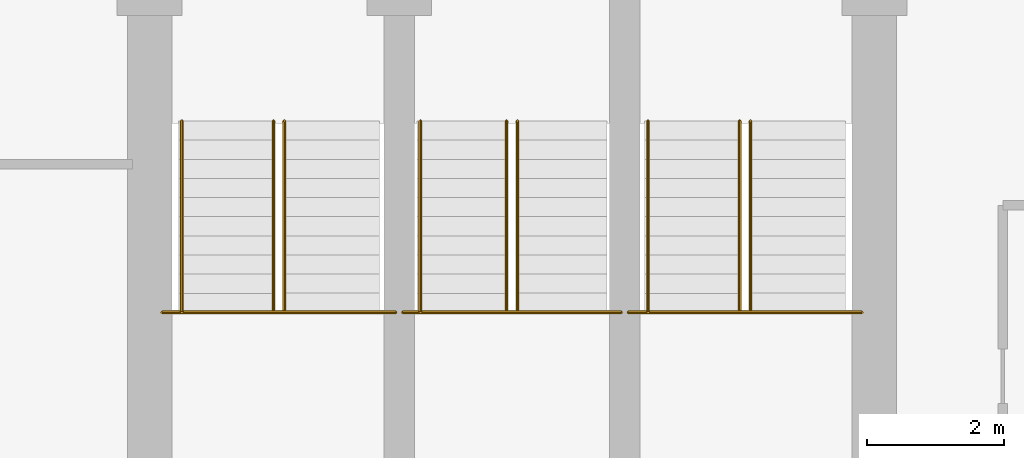
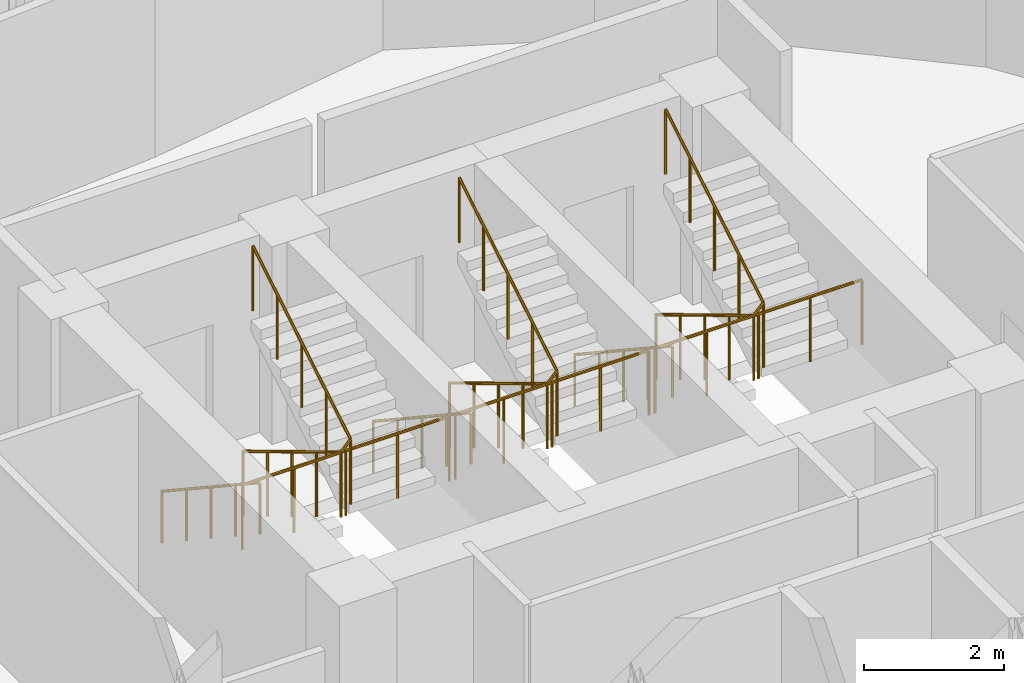
# One storey, part 26 of 26: 9 railings.
"""IFC4 building model written with IfcOpenShell, lengths in metres."""

from ifc_helpers import new_model, si_unit, direction, frame, origin, place, context, subcontext, project, spatial, polyline, outline, extrude, material, type_object, element, save


model = new_model("IFC4")

# Units and contexts
model_context = context("Model", 3, precision=1e-05, world=origin(), true_north=direction((0.0, 1.0)))
body_context = subcontext(model_context, "Body", "Model", "MODEL_VIEW")
ifc_project = project(units=[si_unit("LENGTHUNIT", "METRE"), si_unit("AREAUNIT", "SQUARE_METRE"), si_unit("VOLUMEUNIT", "CUBIC_METRE"), si_unit("PLANEANGLEUNIT", "RADIAN"), si_unit("MASSUNIT", "GRAM", prefix="KILO")], contexts=[model_context])

# Site, building, storey
site_placement = place(None, origin())
site = spatial("IfcSite", under=ifc_project, at=site_placement, CompositionType="ELEMENT")
building_placement = place(site_placement, origin())
building = spatial("IfcBuilding", under=site, at=building_placement, Name="Nuhasar Tower", CompositionType="ELEMENT")
storey_placement = place(building_placement, frame((0.0, 0.0, 188.550048828125)))
storey = spatial("IfcBuildingStorey", under=building, at=storey_placement, Name="L46", CompositionType="ELEMENT", Elevation=188.550048828125)

# Railings
ifc_material_1 = material(Name="Steel S355", Category="steel")
railing_type_1 = type_object("IfcRailingType", Name="RLG-STAIR-GUARD-1150", PredefinedType="GUARDRAIL", material=ifc_material_1)
railing_1_placement = place(storey_placement, frame((33.8798828125, 32.485107421875, 1.849853515625)))
element("IfcRailing", 1, at=railing_1_placement, inside=storey, type_object=railing_type_1, Name="L46 Stair ST-01 Guardrail LND", PredefinedType="GUARDRAIL", context=body_context, shape_type="SweptSolid", body=[
    extrude(outline(polyline([(0.024169921875, 0.0), (0.01708984375, 0.01708984375), (0.0, 0.024169921875), (-0.01708984375, 0.01708984375), (-0.024169921875, 0.0), (-0.01708984375, -0.01708984375), (0.0, -0.024169921875), (0.01708984375, -0.01708984375), (0.024169921875, 0.0)])), frame((0.0, 0.0, 1.1259765625), z_axis=(1.0, 0.0, 0.0), x_axis=(0.0, 1.0, 0.0)), (0.0, 0.0, 1.0), 3.420166015625),
    extrude(outline(polyline([(0.02099609375, 0.0), (0.014892578125, 0.014892578125), (0.0, 0.02099609375), (-0.014892578125, 0.014892578125), (-0.02099609375, 0.0), (-0.014892578125, -0.014892578125), (0.0, -0.02099609375), (0.014892578125, -0.014892578125), (0.02099609375, 0.0)])), origin(), (0.0, 0.0, 1.0), 1.101806640625),
    extrude(outline(polyline([(0.02099609375, 0.0), (0.014892578125, 0.014892578125), (0.0, 0.02099609375), (-0.014892578125, 0.014892578125), (-0.02099609375, 0.0), (-0.014892578125, -0.014892578125), (0.0, -0.02099609375), (0.014892578125, -0.014892578125), (0.02099609375, 0.0)])), frame((0.85498046875, 0.0, 0.0)), (0.0, 0.0, 1.0), 1.101806640625),
    extrude(outline(polyline([(0.02099609375, 0.0), (0.014892578125, 0.014892578125), (0.0, 0.02099609375), (-0.014892578125, 0.014892578125), (-0.02099609375, 0.0), (-0.014892578125, -0.014892578125), (0.0, -0.02099609375), (0.014892578125, -0.014892578125), (0.02099609375, 0.0)])), frame((1.7099609375, 0.0, 0.0)), (0.0, 0.0, 1.0), 1.101806640625),
    extrude(outline(polyline([(0.02099609375, 0.0), (0.014892578125, 0.014892578125), (0.0, 0.02099609375), (-0.014892578125, 0.014892578125), (-0.02099609375, 0.0), (-0.014892578125, -0.014892578125), (0.0, -0.02099609375), (0.014892578125, -0.014892578125), (0.02099609375, 0.0)])), frame((2.565185546875, 0.0, 0.0)), (0.0, 0.0, 1.0), 1.101806640625),
    extrude(outline(polyline([(0.02099609375, 0.0), (0.014892578125, 0.014892578125), (0.0, 0.02099609375), (-0.014892578125, 0.014892578125), (-0.02099609375, 0.0), (-0.014892578125, -0.014892578125), (0.0, -0.02099609375), (0.014892578125, -0.014892578125), (0.02099609375, 0.0)])), frame((3.420166015625, 0.0, 0.0)), (0.0, 0.0, 1.0), 1.101806640625),
])
railing_2_placement = place(storey_placement, frame((35.510009765625, 35.284912109375, 0.16796875)))
element("IfcRailing", 2, at=railing_2_placement, inside=storey, type_object=railing_type_1, Name="L46 Stair ST-01 Guardrail SLT", PredefinedType="GUARDRAIL", context=body_context, shape_type="SweptSolid", body=[
    extrude(outline(polyline([(0.024169921875, 0.0), (0.01708984375, 0.01708984375), (0.0, 0.024169921875), (-0.01708984375, 0.01708984375), (-0.024169921875, 0.0), (-0.01708984375, -0.01708984375), (0.0, -0.024169921875), (0.01708984375, -0.01708984375), (0.024169921875, 0.0)])), frame((0.0, 0.0, 1.1259765625), z_axis=(0.0, -0.857222391501, 0.514946377315), x_axis=(1.0, 0.0, 0.0)), (0.0, 0.0, 1.0), 3.26611328125),
    extrude(outline(polyline([(0.024169921875, 0.0), (0.01708984375, 0.01708984375), (0.0, 0.024169921875), (-0.01708984375, 0.01708984375), (-0.024169921875, 0.0), (-0.01708984375, -0.01708984375), (0.0, -0.024169921875), (0.01708984375, -0.01708984375), (0.024169921875, 0.0)])), frame((0.0, -2.7998046875, 2.8076171875), z_axis=(0.688998229536, 0.0, 0.72476302313), x_axis=(0.0, 1.0, 0.0)), (0.0, 0.0, 1.0), 0.232177734375),
    extrude(outline(polyline([(0.024169921875, 0.0), (0.01708984375, 0.01708984375), (0.0, 0.024169921875), (-0.01708984375, 0.01708984375), (-0.024169921875, 0.0), (-0.01708984375, -0.01708984375), (0.0, -0.024169921875), (0.01708984375, -0.01708984375), (0.024169921875, 0.0)])), frame((0.159912109375, -2.7998046875, 2.97607421875), z_axis=(0.0, 0.857222391501, 0.514946377315), x_axis=(-1.0, 0.0, 0.0)), (0.0, 0.0, 1.0), 3.26611328125),
    extrude(outline(polyline([(0.02099609375, 0.0), (0.014892578125, 0.014892578125), (0.0, 0.02099609375), (-0.014892578125, 0.014892578125), (-0.02099609375, 0.0), (-0.014892578125, -0.014892578125), (0.0, -0.02099609375), (0.014892578125, -0.014892578125), (0.02099609375, 0.0)])), origin(), (0.0, 0.0, 1.0), 1.101806640625),
    extrude(outline(polyline([(0.02099609375, 0.0), (0.014892578125, 0.014892578125), (0.0, 0.02099609375), (-0.014892578125, 0.014892578125), (-0.02099609375, 0.0), (-0.014892578125, -0.014892578125), (0.0, -0.02099609375), (0.014892578125, -0.014892578125), (0.02099609375, 0.0)])), frame((0.0, -0.699951171875, 0.42041015625)), (0.0, 0.0, 1.0), 1.101806640625),
    extrude(outline(polyline([(0.02099609375, 0.0), (0.014892578125, 0.014892578125), (0.0, 0.02099609375), (-0.014892578125, 0.014892578125), (-0.02099609375, 0.0), (-0.014892578125, -0.014892578125), (0.0, -0.02099609375), (0.014892578125, -0.014892578125), (0.02099609375, 0.0)])), frame((0.0, -1.39990234375, 0.8408203125)), (0.0, 0.0, 1.0), 1.101806640625),
    extrude(outline(polyline([(0.02099609375, 0.0), (0.014892578125, 0.014892578125), (0.0, 0.02099609375), (-0.014892578125, 0.014892578125), (-0.02099609375, 0.0), (-0.014892578125, -0.014892578125), (0.0, -0.02099609375), (0.014892578125, -0.014892578125), (0.02099609375, 0.0)])), frame((0.0, -2.099853515625, 1.261474609375)), (0.0, 0.0, 1.0), 1.101806640625),
    extrude(outline(polyline([(0.02099609375, 0.0), (0.014892578125, 0.014892578125), (0.0, 0.02099609375), (-0.014892578125, 0.014892578125), (-0.02099609375, 0.0), (-0.014892578125, -0.014892578125), (0.0, -0.02099609375), (0.014892578125, -0.014892578125), (0.02099609375, 0.0)])), frame((0.0, -2.7998046875, 1.681884765625)), (0.0, 0.0, 1.0), 1.101806640625),
    extrude(outline(polyline([(0.02099609375, 0.0), (0.014892578125, 0.014892578125), (0.0, 0.02099609375), (-0.014892578125, 0.014892578125), (-0.02099609375, 0.0), (-0.014892578125, -0.014892578125), (0.0, -0.02099609375), (0.014892578125, -0.014892578125), (0.02099609375, 0.0)])), frame((0.159912109375, -2.7998046875, 1.85009765625)), (0.0, 0.0, 1.0), 1.101806640625),
    extrude(outline(polyline([(0.02099609375, 0.0), (0.014892578125, 0.014892578125), (0.0, 0.02099609375), (-0.014892578125, 0.014892578125), (-0.02099609375, 0.0), (-0.014892578125, -0.014892578125), (0.0, -0.02099609375), (0.014892578125, -0.014892578125), (0.02099609375, 0.0)])), frame((0.159912109375, -2.099853515625, 2.2705078125)), (0.0, 0.0, 1.0), 1.101806640625),
    extrude(outline(polyline([(0.02099609375, 0.0), (0.014892578125, 0.014892578125), (0.0, 0.02099609375), (-0.014892578125, 0.014892578125), (-0.02099609375, 0.0), (-0.014892578125, -0.014892578125), (0.0, -0.02099609375), (0.014892578125, -0.014892578125), (0.02099609375, 0.0)])), frame((0.159912109375, -1.39990234375, 2.69091796875)), (0.0, 0.0, 1.0), 1.101806640625),
    extrude(outline(polyline([(0.02099609375, 0.0), (0.014892578125, 0.014892578125), (0.0, 0.02099609375), (-0.014892578125, 0.014892578125), (-0.02099609375, 0.0), (-0.014892578125, -0.014892578125), (0.0, -0.02099609375), (0.014892578125, -0.014892578125), (0.02099609375, 0.0)])), frame((0.159912109375, -0.699951171875, 3.111572265625)), (0.0, 0.0, 1.0), 1.101806640625),
    extrude(outline(polyline([(0.02099609375, 0.0), (0.014892578125, 0.014892578125), (0.0, 0.02099609375), (-0.014892578125, 0.014892578125), (-0.02099609375, 0.0), (-0.014892578125, -0.014892578125), (0.0, -0.02099609375), (0.014892578125, -0.014892578125), (0.02099609375, 0.0)])), frame((0.159912109375, 0.0, 3.531982421875)), (0.0, 0.0, 1.0), 1.101806640625),
])
railing_3_placement = place(storey_placement, frame((37.39990234375, 32.485107421875, 1.849853515625)))
element("IfcRailing", 3, at=railing_3_placement, inside=storey, type_object=railing_type_1, Name="L46 Stair ST-03 Guardrail LND", PredefinedType="GUARDRAIL", context=body_context, shape_type="SweptSolid", body=[
    extrude(outline(polyline([(0.024169921875, 0.0), (0.01708984375, 0.01708984375), (0.0, 0.024169921875), (-0.01708984375, 0.01708984375), (-0.024169921875, 0.0), (-0.01708984375, -0.01708984375), (0.0, -0.024169921875), (0.01708984375, -0.01708984375), (0.024169921875, 0.0)])), frame((0.0, 0.0, 1.1259765625), z_axis=(1.0, 0.0, 0.0), x_axis=(0.0, 1.0, 0.0)), (0.0, 0.0, 1.0), 3.2001953125),
    extrude(outline(polyline([(0.02099609375, 0.0), (0.014892578125, 0.014892578125), (0.0, 0.02099609375), (-0.014892578125, 0.014892578125), (-0.02099609375, 0.0), (-0.014892578125, -0.014892578125), (0.0, -0.02099609375), (0.014892578125, -0.014892578125), (0.02099609375, 0.0)])), origin(), (0.0, 0.0, 1.0), 1.101806640625),
    extrude(outline(polyline([(0.02099609375, 0.0), (0.014892578125, 0.014892578125), (0.0, 0.02099609375), (-0.014892578125, 0.014892578125), (-0.02099609375, 0.0), (-0.014892578125, -0.014892578125), (0.0, -0.02099609375), (0.014892578125, -0.014892578125), (0.02099609375, 0.0)])), frame((0.800048828125, 0.0, 0.0)), (0.0, 0.0, 1.0), 1.101806640625),
    extrude(outline(polyline([(0.02099609375, 0.0), (0.014892578125, 0.014892578125), (0.0, 0.02099609375), (-0.014892578125, 0.014892578125), (-0.02099609375, 0.0), (-0.014892578125, -0.014892578125), (0.0, -0.02099609375), (0.014892578125, -0.014892578125), (0.02099609375, 0.0)])), frame((1.60009765625, 0.0, 0.0)), (0.0, 0.0, 1.0), 1.101806640625),
    extrude(outline(polyline([(0.02099609375, 0.0), (0.014892578125, 0.014892578125), (0.0, 0.02099609375), (-0.014892578125, 0.014892578125), (-0.02099609375, 0.0), (-0.014892578125, -0.014892578125), (0.0, -0.02099609375), (0.014892578125, -0.014892578125), (0.02099609375, 0.0)])), frame((2.400146484375, 0.0, 0.0)), (0.0, 0.0, 1.0), 1.101806640625),
    extrude(outline(polyline([(0.02099609375, 0.0), (0.014892578125, 0.014892578125), (0.0, 0.02099609375), (-0.014892578125, 0.014892578125), (-0.02099609375, 0.0), (-0.014892578125, -0.014892578125), (0.0, -0.02099609375), (0.014892578125, -0.014892578125), (0.02099609375, 0.0)])), frame((3.2001953125, 0.0, 0.0)), (0.0, 0.0, 1.0), 1.101806640625),
])
railing_4_placement = place(storey_placement, frame((38.919921875, 35.284912109375, 0.16796875)))
element("IfcRailing", 4, at=railing_4_placement, inside=storey, type_object=railing_type_1, Name="L46 Stair ST-03 Guardrail SLT", PredefinedType="GUARDRAIL", context=body_context, shape_type="SweptSolid", body=[
    extrude(outline(polyline([(0.024169921875, 0.0), (0.01708984375, 0.01708984375), (0.0, 0.024169921875), (-0.01708984375, 0.01708984375), (-0.024169921875, 0.0), (-0.01708984375, -0.01708984375), (0.0, -0.024169921875), (0.01708984375, -0.01708984375), (0.024169921875, 0.0)])), frame((0.0, 0.0, 1.1259765625), z_axis=(0.0, -0.857222391501, 0.514946377315), x_axis=(1.0, 0.0, 0.0)), (0.0, 0.0, 1.0), 3.26611328125),
    extrude(outline(polyline([(0.024169921875, 0.0), (0.01708984375, 0.01708984375), (0.0, 0.024169921875), (-0.01708984375, 0.01708984375), (-0.024169921875, 0.0), (-0.01708984375, -0.01708984375), (0.0, -0.024169921875), (0.01708984375, -0.01708984375), (0.024169921875, 0.0)])), frame((0.0, -2.7998046875, 2.8076171875), z_axis=(0.689550175797, 0.0, 0.724237913298), x_axis=(0.0, 1.0, 0.0)), (0.0, 0.0, 1.0), 0.232177734375),
    extrude(outline(polyline([(0.024169921875, 0.0), (0.01708984375, 0.01708984375), (0.0, 0.024169921875), (-0.01708984375, 0.01708984375), (-0.024169921875, 0.0), (-0.01708984375, -0.01708984375), (0.0, -0.024169921875), (0.01708984375, -0.01708984375), (0.024169921875, 0.0)])), frame((0.16015625, -2.7998046875, 2.97607421875), z_axis=(0.0, 0.857222391501, 0.514946377315), x_axis=(-1.0, 0.0, 0.0)), (0.0, 0.0, 1.0), 3.26611328125),
    extrude(outline(polyline([(0.02099609375, 0.0), (0.014892578125, 0.014892578125), (0.0, 0.02099609375), (-0.014892578125, 0.014892578125), (-0.02099609375, 0.0), (-0.014892578125, -0.014892578125), (0.0, -0.02099609375), (0.014892578125, -0.014892578125), (0.02099609375, 0.0)])), origin(), (0.0, 0.0, 1.0), 1.101806640625),
    extrude(outline(polyline([(0.02099609375, 0.0), (0.014892578125, 0.014892578125), (0.0, 0.02099609375), (-0.014892578125, 0.014892578125), (-0.02099609375, 0.0), (-0.014892578125, -0.014892578125), (0.0, -0.02099609375), (0.014892578125, -0.014892578125), (0.02099609375, 0.0)])), frame((0.0, -0.699951171875, 0.42041015625)), (0.0, 0.0, 1.0), 1.101806640625),
    extrude(outline(polyline([(0.02099609375, 0.0), (0.014892578125, 0.014892578125), (0.0, 0.02099609375), (-0.014892578125, 0.014892578125), (-0.02099609375, 0.0), (-0.014892578125, -0.014892578125), (0.0, -0.02099609375), (0.014892578125, -0.014892578125), (0.02099609375, 0.0)])), frame((0.0, -1.39990234375, 0.8408203125)), (0.0, 0.0, 1.0), 1.101806640625),
    extrude(outline(polyline([(0.02099609375, 0.0), (0.014892578125, 0.014892578125), (0.0, 0.02099609375), (-0.014892578125, 0.014892578125), (-0.02099609375, 0.0), (-0.014892578125, -0.014892578125), (0.0, -0.02099609375), (0.014892578125, -0.014892578125), (0.02099609375, 0.0)])), frame((0.0, -2.099853515625, 1.261474609375)), (0.0, 0.0, 1.0), 1.101806640625),
    extrude(outline(polyline([(0.02099609375, 0.0), (0.014892578125, 0.014892578125), (0.0, 0.02099609375), (-0.014892578125, 0.014892578125), (-0.02099609375, 0.0), (-0.014892578125, -0.014892578125), (0.0, -0.02099609375), (0.014892578125, -0.014892578125), (0.02099609375, 0.0)])), frame((0.0, -2.7998046875, 1.681884765625)), (0.0, 0.0, 1.0), 1.101806640625),
    extrude(outline(polyline([(0.02099609375, 0.0), (0.014892578125, 0.014892578125), (0.0, 0.02099609375), (-0.014892578125, 0.014892578125), (-0.02099609375, 0.0), (-0.014892578125, -0.014892578125), (0.0, -0.02099609375), (0.014892578125, -0.014892578125), (0.02099609375, 0.0)])), frame((0.16015625, -2.7998046875, 1.85009765625)), (0.0, 0.0, 1.0), 1.101806640625),
    extrude(outline(polyline([(0.02099609375, 0.0), (0.014892578125, 0.014892578125), (0.0, 0.02099609375), (-0.014892578125, 0.014892578125), (-0.02099609375, 0.0), (-0.014892578125, -0.014892578125), (0.0, -0.02099609375), (0.014892578125, -0.014892578125), (0.02099609375, 0.0)])), frame((0.16015625, -2.099853515625, 2.2705078125)), (0.0, 0.0, 1.0), 1.101806640625),
    extrude(outline(polyline([(0.02099609375, 0.0), (0.014892578125, 0.014892578125), (0.0, 0.02099609375), (-0.014892578125, 0.014892578125), (-0.02099609375, 0.0), (-0.014892578125, -0.014892578125), (0.0, -0.02099609375), (0.014892578125, -0.014892578125), (0.02099609375, 0.0)])), frame((0.16015625, -1.39990234375, 2.69091796875)), (0.0, 0.0, 1.0), 1.101806640625),
    extrude(outline(polyline([(0.02099609375, 0.0), (0.014892578125, 0.014892578125), (0.0, 0.02099609375), (-0.014892578125, 0.014892578125), (-0.02099609375, 0.0), (-0.014892578125, -0.014892578125), (0.0, -0.02099609375), (0.014892578125, -0.014892578125), (0.02099609375, 0.0)])), frame((0.16015625, -0.699951171875, 3.111572265625)), (0.0, 0.0, 1.0), 1.101806640625),
    extrude(outline(polyline([(0.02099609375, 0.0), (0.014892578125, 0.014892578125), (0.0, 0.02099609375), (-0.014892578125, 0.014892578125), (-0.02099609375, 0.0), (-0.014892578125, -0.014892578125), (0.0, -0.02099609375), (0.014892578125, -0.014892578125), (0.02099609375, 0.0)])), frame((0.16015625, 0.0, 3.531982421875)), (0.0, 0.0, 1.0), 1.101806640625),
])
railing_5_placement = place(storey_placement, frame((40.699951171875, 32.485107421875, 1.849853515625)))
element("IfcRailing", 5, at=railing_5_placement, inside=storey, type_object=railing_type_1, Name="L46 Stair ST-02 Guardrail LND", PredefinedType="GUARDRAIL", context=body_context, shape_type="SweptSolid", body=[
    extrude(outline(polyline([(0.024169921875, 0.0), (0.01708984375, 0.01708984375), (0.0, 0.024169921875), (-0.01708984375, 0.01708984375), (-0.024169921875, 0.0), (-0.01708984375, -0.01708984375), (0.0, -0.024169921875), (0.01708984375, -0.01708984375), (0.024169921875, 0.0)])), frame((0.0, 0.0, 1.1259765625), z_axis=(1.0, 0.0, 0.0), x_axis=(0.0, 1.0, 0.0)), (0.0, 0.0, 1.0), 3.420166015625),
    extrude(outline(polyline([(0.02099609375, 0.0), (0.014892578125, 0.014892578125), (0.0, 0.02099609375), (-0.014892578125, 0.014892578125), (-0.02099609375, 0.0), (-0.014892578125, -0.014892578125), (0.0, -0.02099609375), (0.014892578125, -0.014892578125), (0.02099609375, 0.0)])), origin(), (0.0, 0.0, 1.0), 1.101806640625),
    extrude(outline(polyline([(0.02099609375, 0.0), (0.014892578125, 0.014892578125), (0.0, 0.02099609375), (-0.014892578125, 0.014892578125), (-0.02099609375, 0.0), (-0.014892578125, -0.014892578125), (0.0, -0.02099609375), (0.014892578125, -0.014892578125), (0.02099609375, 0.0)])), frame((0.85498046875, 0.0, 0.0)), (0.0, 0.0, 1.0), 1.101806640625),
    extrude(outline(polyline([(0.02099609375, 0.0), (0.014892578125, 0.014892578125), (0.0, 0.02099609375), (-0.014892578125, 0.014892578125), (-0.02099609375, 0.0), (-0.014892578125, -0.014892578125), (0.0, -0.02099609375), (0.014892578125, -0.014892578125), (0.02099609375, 0.0)])), frame((1.7099609375, 0.0, 0.0)), (0.0, 0.0, 1.0), 1.101806640625),
    extrude(outline(polyline([(0.02099609375, 0.0), (0.014892578125, 0.014892578125), (0.0, 0.02099609375), (-0.014892578125, 0.014892578125), (-0.02099609375, 0.0), (-0.014892578125, -0.014892578125), (0.0, -0.02099609375), (0.014892578125, -0.014892578125), (0.02099609375, 0.0)])), frame((2.565185546875, 0.0, 0.0)), (0.0, 0.0, 1.0), 1.101806640625),
    extrude(outline(polyline([(0.02099609375, 0.0), (0.014892578125, 0.014892578125), (0.0, 0.02099609375), (-0.014892578125, 0.014892578125), (-0.02099609375, 0.0), (-0.014892578125, -0.014892578125), (0.0, -0.02099609375), (0.014892578125, -0.014892578125), (0.02099609375, 0.0)])), frame((3.420166015625, 0.0, 0.0)), (0.0, 0.0, 1.0), 1.101806640625),
])
railing_6_placement = place(storey_placement, frame((42.330078125, 35.284912109375, 0.16796875)))
element("IfcRailing", 6, at=railing_6_placement, inside=storey, type_object=railing_type_1, Name="L46 Stair ST-02 Guardrail SLT", PredefinedType="GUARDRAIL", context=body_context, shape_type="SweptSolid", body=[
    extrude(outline(polyline([(0.024169921875, 0.0), (0.01708984375, 0.01708984375), (0.0, 0.024169921875), (-0.01708984375, 0.01708984375), (-0.024169921875, 0.0), (-0.01708984375, -0.01708984375), (0.0, -0.024169921875), (0.01708984375, -0.01708984375), (0.024169921875, 0.0)])), frame((0.0, 0.0, 1.1259765625), z_axis=(0.0, -0.857222391501, 0.514946377315), x_axis=(1.0, 0.0, 0.0)), (0.0, 0.0, 1.0), 3.26611328125),
    extrude(outline(polyline([(0.024169921875, 0.0), (0.01708984375, 0.01708984375), (0.0, 0.024169921875), (-0.01708984375, 0.01708984375), (-0.024169921875, 0.0), (-0.01708984375, -0.01708984375), (0.0, -0.024169921875), (0.01708984375, -0.01708984375), (0.024169921875, 0.0)])), frame((0.0, -2.7998046875, 2.8076171875), z_axis=(0.688998229536, 0.0, 0.72476302313), x_axis=(0.0, 1.0, 0.0)), (0.0, 0.0, 1.0), 0.232177734375),
    extrude(outline(polyline([(0.024169921875, 0.0), (0.01708984375, 0.01708984375), (0.0, 0.024169921875), (-0.01708984375, 0.01708984375), (-0.024169921875, 0.0), (-0.01708984375, -0.01708984375), (0.0, -0.024169921875), (0.01708984375, -0.01708984375), (0.024169921875, 0.0)])), frame((0.159912109375, -2.7998046875, 2.97607421875), z_axis=(0.0, 0.857222391501, 0.514946377315), x_axis=(-1.0, 0.0, 0.0)), (0.0, 0.0, 1.0), 3.26611328125),
    extrude(outline(polyline([(0.02099609375, 0.0), (0.014892578125, 0.014892578125), (0.0, 0.02099609375), (-0.014892578125, 0.014892578125), (-0.02099609375, 0.0), (-0.014892578125, -0.014892578125), (0.0, -0.02099609375), (0.014892578125, -0.014892578125), (0.02099609375, 0.0)])), origin(), (0.0, 0.0, 1.0), 1.101806640625),
    extrude(outline(polyline([(0.02099609375, 0.0), (0.014892578125, 0.014892578125), (0.0, 0.02099609375), (-0.014892578125, 0.014892578125), (-0.02099609375, 0.0), (-0.014892578125, -0.014892578125), (0.0, -0.02099609375), (0.014892578125, -0.014892578125), (0.02099609375, 0.0)])), frame((0.0, -0.699951171875, 0.42041015625)), (0.0, 0.0, 1.0), 1.101806640625),
    extrude(outline(polyline([(0.02099609375, 0.0), (0.014892578125, 0.014892578125), (0.0, 0.02099609375), (-0.014892578125, 0.014892578125), (-0.02099609375, 0.0), (-0.014892578125, -0.014892578125), (0.0, -0.02099609375), (0.014892578125, -0.014892578125), (0.02099609375, 0.0)])), frame((0.0, -1.39990234375, 0.8408203125)), (0.0, 0.0, 1.0), 1.101806640625),
    extrude(outline(polyline([(0.02099609375, 0.0), (0.014892578125, 0.014892578125), (0.0, 0.02099609375), (-0.014892578125, 0.014892578125), (-0.02099609375, 0.0), (-0.014892578125, -0.014892578125), (0.0, -0.02099609375), (0.014892578125, -0.014892578125), (0.02099609375, 0.0)])), frame((0.0, -2.099853515625, 1.261474609375)), (0.0, 0.0, 1.0), 1.101806640625),
    extrude(outline(polyline([(0.02099609375, 0.0), (0.014892578125, 0.014892578125), (0.0, 0.02099609375), (-0.014892578125, 0.014892578125), (-0.02099609375, 0.0), (-0.014892578125, -0.014892578125), (0.0, -0.02099609375), (0.014892578125, -0.014892578125), (0.02099609375, 0.0)])), frame((0.0, -2.7998046875, 1.681884765625)), (0.0, 0.0, 1.0), 1.101806640625),
    extrude(outline(polyline([(0.02099609375, 0.0), (0.014892578125, 0.014892578125), (0.0, 0.02099609375), (-0.014892578125, 0.014892578125), (-0.02099609375, 0.0), (-0.014892578125, -0.014892578125), (0.0, -0.02099609375), (0.014892578125, -0.014892578125), (0.02099609375, 0.0)])), frame((0.159912109375, -2.7998046875, 1.85009765625)), (0.0, 0.0, 1.0), 1.101806640625),
    extrude(outline(polyline([(0.02099609375, 0.0), (0.014892578125, 0.014892578125), (0.0, 0.02099609375), (-0.014892578125, 0.014892578125), (-0.02099609375, 0.0), (-0.014892578125, -0.014892578125), (0.0, -0.02099609375), (0.014892578125, -0.014892578125), (0.02099609375, 0.0)])), frame((0.159912109375, -2.099853515625, 2.2705078125)), (0.0, 0.0, 1.0), 1.101806640625),
    extrude(outline(polyline([(0.02099609375, 0.0), (0.014892578125, 0.014892578125), (0.0, 0.02099609375), (-0.014892578125, 0.014892578125), (-0.02099609375, 0.0), (-0.014892578125, -0.014892578125), (0.0, -0.02099609375), (0.014892578125, -0.014892578125), (0.02099609375, 0.0)])), frame((0.159912109375, -1.39990234375, 2.69091796875)), (0.0, 0.0, 1.0), 1.101806640625),
    extrude(outline(polyline([(0.02099609375, 0.0), (0.014892578125, 0.014892578125), (0.0, 0.02099609375), (-0.014892578125, 0.014892578125), (-0.02099609375, 0.0), (-0.014892578125, -0.014892578125), (0.0, -0.02099609375), (0.014892578125, -0.014892578125), (0.02099609375, 0.0)])), frame((0.159912109375, -0.699951171875, 3.111572265625)), (0.0, 0.0, 1.0), 1.101806640625),
    extrude(outline(polyline([(0.02099609375, 0.0), (0.014892578125, 0.014892578125), (0.0, 0.02099609375), (-0.014892578125, 0.014892578125), (-0.02099609375, 0.0), (-0.014892578125, -0.014892578125), (0.0, -0.02099609375), (0.014892578125, -0.014892578125), (0.02099609375, 0.0)])), frame((0.159912109375, 0.0, 3.531982421875)), (0.0, 0.0, 1.0), 1.101806640625),
])
ifc_material_2 = material(Name="Stainless Steel 316L", Category="steel")
railing_type_2 = type_object("IfcRailingType", Name="RLG-STAIR-HAND-920", PredefinedType="HANDRAIL", material=ifc_material_2)
railing_7_placement = place(storey_placement, frame((34.169921875, 35.284912109375, 0.16796875)))
element("IfcRailing", 7, at=railing_7_placement, inside=storey, type_object=railing_type_2, Name="L46 Stair ST-01 Handrail HND1", PredefinedType="HANDRAIL", context=body_context, shape_type="SweptSolid", body=[
    extrude(outline(polyline([(0.024169921875, 0.0), (0.01708984375, 0.01708984375), (0.0, 0.024169921875), (-0.01708984375, 0.01708984375), (-0.024169921875, 0.0), (-0.01708984375, -0.01708984375), (0.0, -0.024169921875), (0.01708984375, -0.01708984375), (0.024169921875, 0.0)])), frame((0.0, 0.0, 0.89599609375), z_axis=(0.0, -0.834304248922, 0.551304290053), x_axis=(1.0, 0.0, 0.0)), (0.0, 0.0, 1.0), 3.35595703125),
    extrude(outline(polyline([(0.02099609375, 0.0), (0.014892578125, 0.014892578125), (0.0, 0.02099609375), (-0.014892578125, 0.014892578125), (-0.02099609375, 0.0), (-0.014892578125, -0.014892578125), (0.0, -0.02099609375), (0.014892578125, -0.014892578125), (0.02099609375, 0.0)])), origin(), (0.0, 0.0, 1.0), 0.871826171875),
    extrude(outline(polyline([(0.02099609375, 0.0), (0.014892578125, 0.014892578125), (0.0, 0.02099609375), (-0.014892578125, 0.014892578125), (-0.02099609375, 0.0), (-0.014892578125, -0.014892578125), (0.0, -0.02099609375), (0.014892578125, -0.014892578125), (0.02099609375, 0.0)])), frame((0.0, -0.699951171875, 0.46240234375)), (0.0, 0.0, 1.0), 0.871826171875),
    extrude(outline(polyline([(0.02099609375, 0.0), (0.014892578125, 0.014892578125), (0.0, 0.02099609375), (-0.014892578125, 0.014892578125), (-0.02099609375, 0.0), (-0.014892578125, -0.014892578125), (0.0, -0.02099609375), (0.014892578125, -0.014892578125), (0.02099609375, 0.0)])), frame((0.0, -1.39990234375, 0.925048828125)), (0.0, 0.0, 1.0), 0.871826171875),
    extrude(outline(polyline([(0.02099609375, 0.0), (0.014892578125, 0.014892578125), (0.0, 0.02099609375), (-0.014892578125, 0.014892578125), (-0.02099609375, 0.0), (-0.014892578125, -0.014892578125), (0.0, -0.02099609375), (0.014892578125, -0.014892578125), (0.02099609375, 0.0)])), frame((0.0, -2.099853515625, 1.3876953125)), (0.0, 0.0, 1.0), 0.871826171875),
    extrude(outline(polyline([(0.02099609375, 0.0), (0.014892578125, 0.014892578125), (0.0, 0.02099609375), (-0.014892578125, 0.014892578125), (-0.02099609375, 0.0), (-0.014892578125, -0.014892578125), (0.0, -0.02099609375), (0.014892578125, -0.014892578125), (0.02099609375, 0.0)])), frame((0.0, -2.7998046875, 1.85009765625)), (0.0, 0.0, 1.0), 0.871826171875),
])
railing_8_placement = place(storey_placement, frame((37.659912109375, 35.284912109375, 0.16796875)))
element("IfcRailing", 8, at=railing_8_placement, inside=storey, type_object=railing_type_2, Name="L46 Stair ST-03 Handrail HND1", PredefinedType="HANDRAIL", context=body_context, shape_type="SweptSolid", body=[
    extrude(outline(polyline([(0.024169921875, 0.0), (0.01708984375, 0.01708984375), (0.0, 0.024169921875), (-0.01708984375, 0.01708984375), (-0.024169921875, 0.0), (-0.01708984375, -0.01708984375), (0.0, -0.024169921875), (0.01708984375, -0.01708984375), (0.024169921875, 0.0)])), frame((0.0, 0.0, 0.89599609375), z_axis=(0.0, -0.834304248922, 0.551304290053), x_axis=(1.0, 0.0, 0.0)), (0.0, 0.0, 1.0), 3.35595703125),
    extrude(outline(polyline([(0.02099609375, 0.0), (0.014892578125, 0.014892578125), (0.0, 0.02099609375), (-0.014892578125, 0.014892578125), (-0.02099609375, 0.0), (-0.014892578125, -0.014892578125), (0.0, -0.02099609375), (0.014892578125, -0.014892578125), (0.02099609375, 0.0)])), origin(), (0.0, 0.0, 1.0), 0.871826171875),
    extrude(outline(polyline([(0.02099609375, 0.0), (0.014892578125, 0.014892578125), (0.0, 0.02099609375), (-0.014892578125, 0.014892578125), (-0.02099609375, 0.0), (-0.014892578125, -0.014892578125), (0.0, -0.02099609375), (0.014892578125, -0.014892578125), (0.02099609375, 0.0)])), frame((0.0, -0.699951171875, 0.46240234375)), (0.0, 0.0, 1.0), 0.871826171875),
    extrude(outline(polyline([(0.02099609375, 0.0), (0.014892578125, 0.014892578125), (0.0, 0.02099609375), (-0.014892578125, 0.014892578125), (-0.02099609375, 0.0), (-0.014892578125, -0.014892578125), (0.0, -0.02099609375), (0.014892578125, -0.014892578125), (0.02099609375, 0.0)])), frame((0.0, -1.39990234375, 0.925048828125)), (0.0, 0.0, 1.0), 0.871826171875),
    extrude(outline(polyline([(0.02099609375, 0.0), (0.014892578125, 0.014892578125), (0.0, 0.02099609375), (-0.014892578125, 0.014892578125), (-0.02099609375, 0.0), (-0.014892578125, -0.014892578125), (0.0, -0.02099609375), (0.014892578125, -0.014892578125), (0.02099609375, 0.0)])), frame((0.0, -2.099853515625, 1.3876953125)), (0.0, 0.0, 1.0), 0.871826171875),
    extrude(outline(polyline([(0.02099609375, 0.0), (0.014892578125, 0.014892578125), (0.0, 0.02099609375), (-0.014892578125, 0.014892578125), (-0.02099609375, 0.0), (-0.014892578125, -0.014892578125), (0.0, -0.02099609375), (0.014892578125, -0.014892578125), (0.02099609375, 0.0)])), frame((0.0, -2.7998046875, 1.85009765625)), (0.0, 0.0, 1.0), 0.871826171875),
])
railing_9_placement = place(storey_placement, frame((40.989990234375, 35.284912109375, 0.16796875)))
element("IfcRailing", 9, at=railing_9_placement, inside=storey, type_object=railing_type_2, Name="L46 Stair ST-02 Handrail HND1", PredefinedType="HANDRAIL", context=body_context, shape_type="SweptSolid", body=[
    extrude(outline(polyline([(0.024169921875, 0.0), (0.01708984375, 0.01708984375), (0.0, 0.024169921875), (-0.01708984375, 0.01708984375), (-0.024169921875, 0.0), (-0.01708984375, -0.01708984375), (0.0, -0.024169921875), (0.01708984375, -0.01708984375), (0.024169921875, 0.0)])), frame((0.0, 0.0, 0.89599609375), z_axis=(0.0, -0.834304248922, 0.551304290053), x_axis=(1.0, 0.0, 0.0)), (0.0, 0.0, 1.0), 3.35595703125),
    extrude(outline(polyline([(0.02099609375, 0.0), (0.014892578125, 0.014892578125), (0.0, 0.02099609375), (-0.014892578125, 0.014892578125), (-0.02099609375, 0.0), (-0.014892578125, -0.014892578125), (0.0, -0.02099609375), (0.014892578125, -0.014892578125), (0.02099609375, 0.0)])), origin(), (0.0, 0.0, 1.0), 0.871826171875),
    extrude(outline(polyline([(0.02099609375, 0.0), (0.014892578125, 0.014892578125), (0.0, 0.02099609375), (-0.014892578125, 0.014892578125), (-0.02099609375, 0.0), (-0.014892578125, -0.014892578125), (0.0, -0.02099609375), (0.014892578125, -0.014892578125), (0.02099609375, 0.0)])), frame((0.0, -0.699951171875, 0.46240234375)), (0.0, 0.0, 1.0), 0.871826171875),
    extrude(outline(polyline([(0.02099609375, 0.0), (0.014892578125, 0.014892578125), (0.0, 0.02099609375), (-0.014892578125, 0.014892578125), (-0.02099609375, 0.0), (-0.014892578125, -0.014892578125), (0.0, -0.02099609375), (0.014892578125, -0.014892578125), (0.02099609375, 0.0)])), frame((0.0, -1.39990234375, 0.925048828125)), (0.0, 0.0, 1.0), 0.871826171875),
    extrude(outline(polyline([(0.02099609375, 0.0), (0.014892578125, 0.014892578125), (0.0, 0.02099609375), (-0.014892578125, 0.014892578125), (-0.02099609375, 0.0), (-0.014892578125, -0.014892578125), (0.0, -0.02099609375), (0.014892578125, -0.014892578125), (0.02099609375, 0.0)])), frame((0.0, -2.099853515625, 1.3876953125)), (0.0, 0.0, 1.0), 0.871826171875),
    extrude(outline(polyline([(0.02099609375, 0.0), (0.014892578125, 0.014892578125), (0.0, 0.02099609375), (-0.014892578125, 0.014892578125), (-0.02099609375, 0.0), (-0.014892578125, -0.014892578125), (0.0, -0.02099609375), (0.014892578125, -0.014892578125), (0.02099609375, 0.0)])), frame((0.0, -2.7998046875, 1.85009765625)), (0.0, 0.0, 1.0), 0.871826171875),
])

save(model, "model.ifc")
